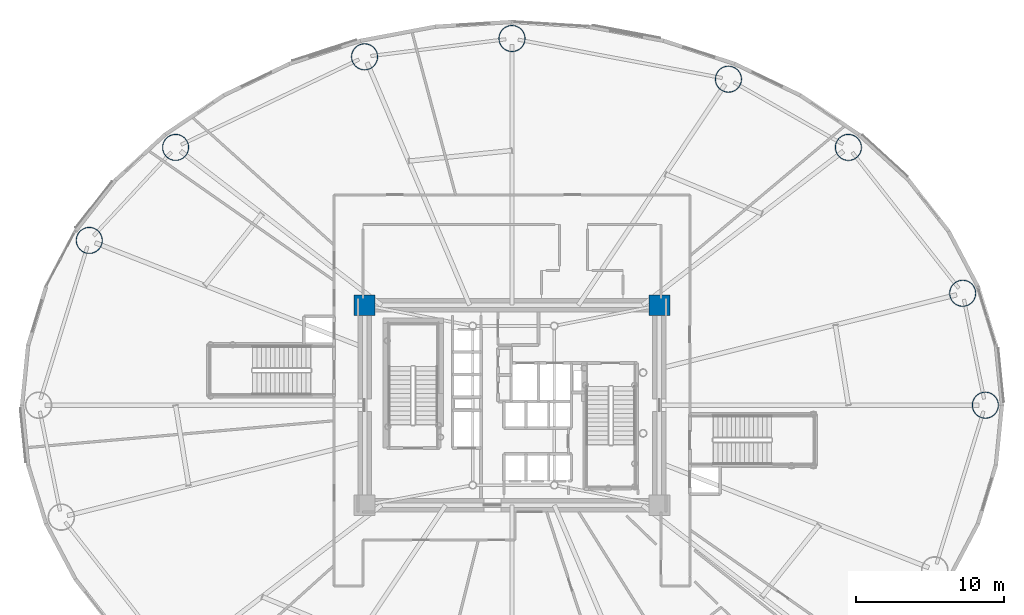
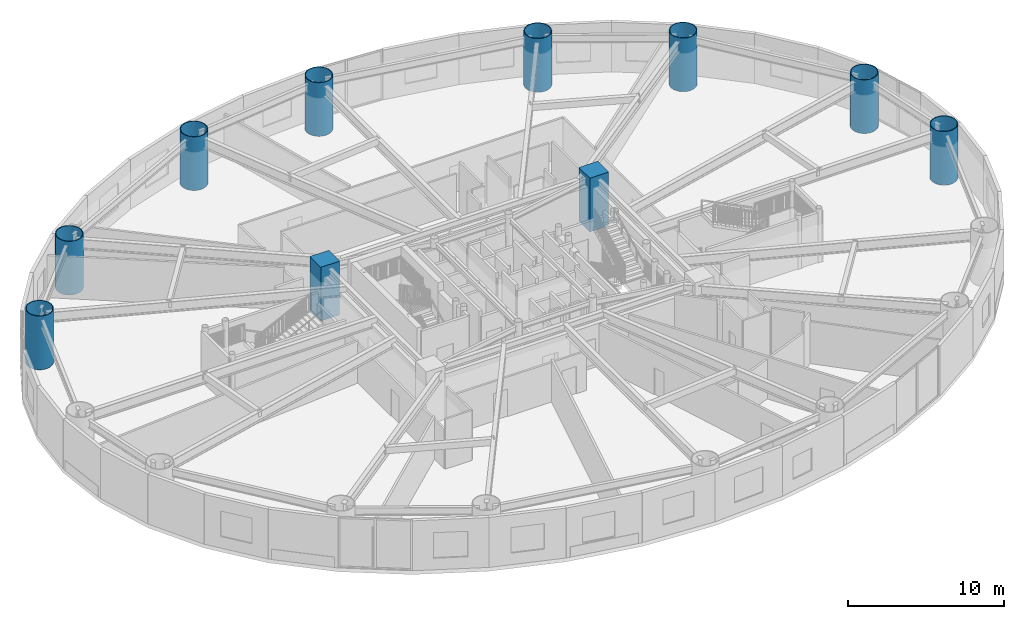
# One storey, part 3 of 31: 10 columns.
"""IFC4 building model written with IfcOpenShell, lengths in metres."""

from ifc_helpers import new_model, si_unit, direction, frame, origin, origin_2d, place, context, subcontext, project, spatial, rectangle, hollow_circle, extrude, material, material_profile, profile_set, type_object, element, save


model = new_model("IFC4")

# Units and contexts
model_context = context("Model", 3, precision=1e-05, world=origin(), true_north=direction((0.0, 1.0)))
body_context = subcontext(model_context, "Body", "Model", "MODEL_VIEW")
ifc_project = project(units=[si_unit("LENGTHUNIT", "METRE"), si_unit("AREAUNIT", "SQUARE_METRE"), si_unit("VOLUMEUNIT", "CUBIC_METRE"), si_unit("PLANEANGLEUNIT", "RADIAN"), si_unit("MASSUNIT", "GRAM", prefix="KILO")], contexts=[model_context])

# Site, building, storey
site_placement = place(None, origin())
site = spatial("IfcSite", under=ifc_project, at=site_placement, CompositionType="ELEMENT")
building_placement = place(site_placement, origin())
building = spatial("IfcBuilding", under=site, at=building_placement, Name="Linh Dai School and Residence Tower", CompositionType="ELEMENT")
storey_placement = place(building_placement, frame((0.0, 0.0, 6.0)))
storey = spatial("IfcBuildingStorey", under=building, at=storey_placement, Name="L01", CompositionType="ELEMENT", Elevation=6.0)

# Columns
ifc_material_1 = material(Name="Concrete B60 (C50/60)", Category="concrete")
ifc_material_profile_1 = material_profile(ifc_material_1, rectangle(XDim=1.39990234375, YDim=1.39990234375, at=origin_2d()), Name="RC 1400x1400")
ifc_profile_set_1 = profile_set([ifc_material_profile_1], Name="Concrete B60 (C50/60)")
column_type_1 = type_object("IfcColumnType", Name="COL-CC1", PredefinedType="COLUMN", material=ifc_profile_set_1)
for number, where, z_axis, x_axis, name in (
    (1, (45.949951171875, 33.75, 0.0), (0.0, 0.0, 1.0), (1.0, 0.0, 0.0), "L01 Core Corner Pier CC3"),
    (2, (26.050048828125, 33.75, 0.0), (0.0, 0.0, 1.0), (1.0, 0.0, 0.0), "L01 Core Corner Pier CC4"),
):
    element("IfcColumn", number, at=place(storey_placement, frame(where, z_axis=z_axis, x_axis=x_axis)), inside=storey, type_object=column_type_1, Name=name, PredefinedType="COLUMN", context=body_context, shape_type="SweptSolid", body=[
        extrude(rectangle(XDim=1.39990234375, YDim=1.39990234375, at=origin_2d()), origin(), (0.0, 0.0, 1.0), 4.199951171875),
    ])
ifc_material_2 = material(Name="Structural Steel S355JR", Category="steel")
ifc_material_profile_2 = material_profile(ifc_material_2, hollow_circle(Radius=0.89990234375, WallThickness=0.050048828125, at=origin_2d()), Name="CHS 1800x50")
ifc_profile_set_2 = profile_set([ifc_material_profile_2], Name="Structural Steel S355JR")
column_type_2 = type_object("IfcColumnType", Name="COL-MC1", PredefinedType="COLUMN", material=ifc_profile_set_2)
for number, where, z_axis, x_axis, name in (
    (3, (67.949951171875, 27.0, 0.0), (0.0, 0.0, 1.0), (1.0, 0.0, 0.0), "L01 Perimeter CFT Mega-Column MC01"),
    (4, (66.42041015625, 34.555419921875, 0.0), (0.0, 0.0, 1.0), (1.0, 0.0, 0.0), "L01 Perimeter CFT Mega-Column MC02"),
    (5, (58.705322265625, 44.400634765625, 0.0), (0.0, 0.0, 1.0), (1.0, 0.0, 0.0), "L01 Perimeter CFT Mega-Column MC03"),
    (6, (50.609130859375, 49.005126953125, 0.0), (0.0, 0.0, 1.0), (1.0, 0.0, 0.0), "L01 Perimeter CFT Mega-Column MC04"),
    (7, (36.0, 51.75, 0.0), (0.0, 0.0, 1.0), (1.0, 0.0, 0.0), "L01 Perimeter CFT Mega-Column MC05"),
    (8, (26.048828125, 50.51611328125, 0.0), (0.0, 0.0, 1.0), (1.0, 0.0, 0.0), "L01 Perimeter CFT Mega-Column MC06"),
    (9, (13.294677734375, 44.400634765625, 0.0), (0.0, 0.0, 1.0), (1.0, 0.0, 0.0), "L01 Perimeter CFT Mega-Column MC07"),
    (10, (7.46630859375, 38.1220703125, 0.0), (0.0, 0.0, 1.0), (1.0, 0.0, 0.0), "L01 Perimeter CFT Mega-Column MC08"),
):
    element("IfcColumn", number, at=place(storey_placement, frame(where, z_axis=z_axis, x_axis=x_axis)), inside=storey, type_object=column_type_2, Name=name, PredefinedType="COLUMN", context=body_context, shape_type="SweptSolid", body=[
        extrude(hollow_circle(Radius=0.89990234375, WallThickness=0.050048828125, at=origin_2d()), origin(), (0.0, 0.0, 1.0), 4.199951171875),
    ])

save(model, "model.ifc")
